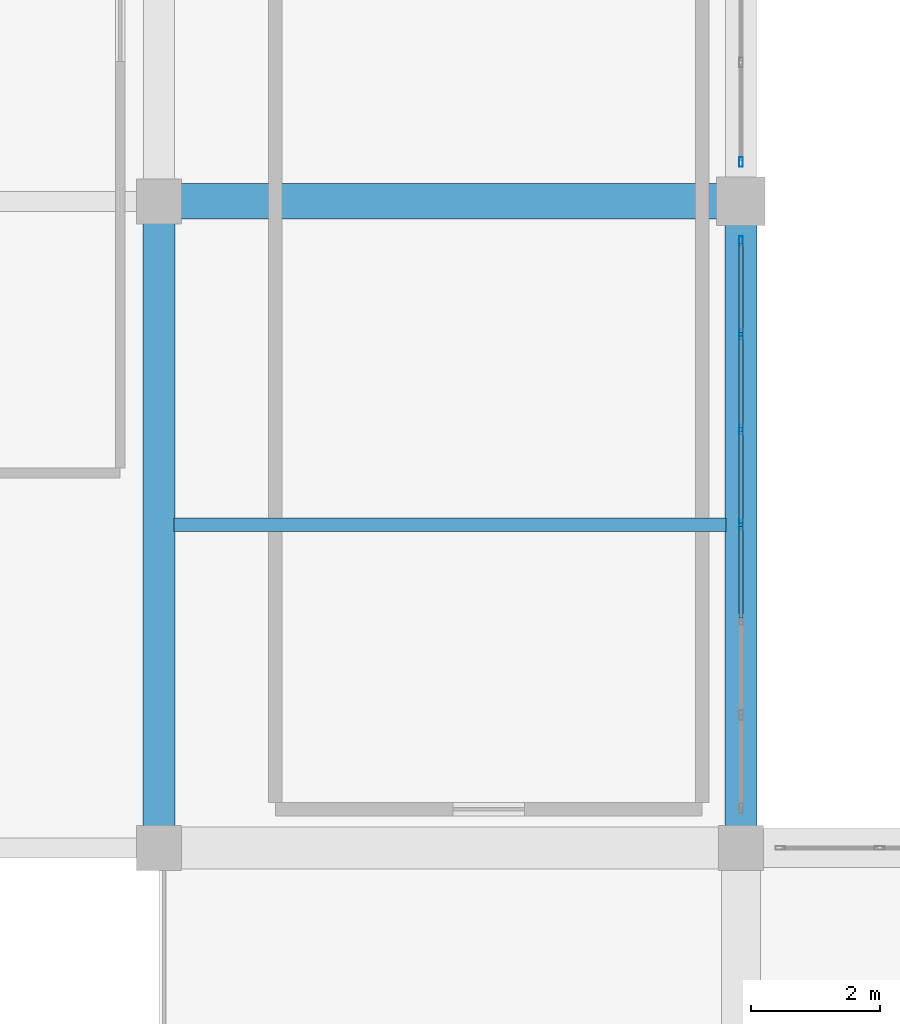
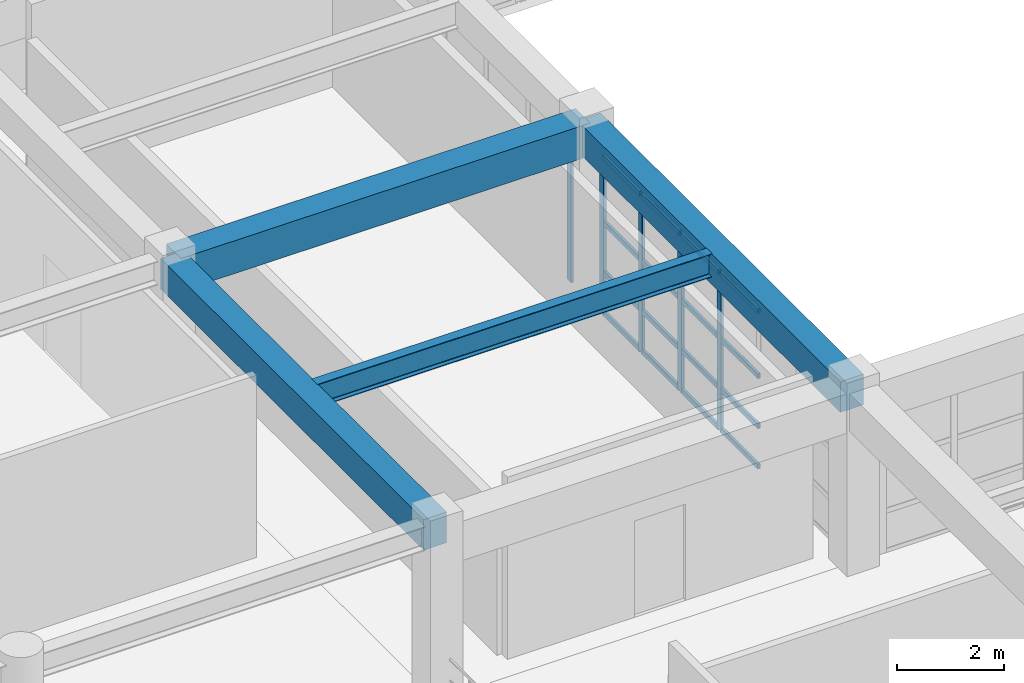
# One storey, part 55 of 133: 21 members, 4 beams, 2 elements without a shape of their own.
"""IFC4 building model written with IfcOpenShell, lengths in metres."""

from ifc_helpers import new_model, si_unit, direction, frame, origin, origin_2d, place, context, subcontext, project, spatial, rectangle, hollow_rectangle, i_section, extrude, material, material_profile, profile_set, type_object, element, aggregate, save


model = new_model("IFC4")

# Units and contexts
model_context = context("Model", 3, precision=1e-05, world=origin(), true_north=direction((0.0, 1.0)))
body_context = subcontext(model_context, "Body", "Model", "MODEL_VIEW")
ifc_project = project(units=[si_unit("LENGTHUNIT", "METRE"), si_unit("AREAUNIT", "SQUARE_METRE"), si_unit("VOLUMEUNIT", "CUBIC_METRE"), si_unit("PLANEANGLEUNIT", "RADIAN"), si_unit("MASSUNIT", "GRAM", prefix="KILO")], contexts=[model_context])

# Site, building, storey
site_placement = place(None, origin())
site = spatial("IfcSite", under=ifc_project, at=site_placement, CompositionType="ELEMENT")
building_placement = place(site_placement, origin())
building = spatial("IfcBuilding", under=site, at=building_placement, Name="Miravela Opera House", CompositionType="ELEMENT")
storey_placement = place(building_placement, frame((0.0, 0.0, 5.10009765625)))
storey = spatial("IfcBuildingStorey", under=building, at=storey_placement, Name="L01", CompositionType="ELEMENT", Elevation=5.10009765625)

# Curtain wall, members
ifc_material_1 = material(Name="Anodised architectural bronze aluminium 6063-T6", Category="aluminium")
curtain_wall_type = type_object("IfcCurtainWallType", Name="ARC-CW-05", PredefinedType="NOTDEFINED", material=ifc_material_1)
curtain_wall_1_placement = place(storey_placement, origin())
curtain_wall_1 = element("IfcCurtainWall", 1, at=curtain_wall_1_placement, inside=storey, type_object=curtain_wall_type, Name="Courtyard Arcade Curtain Wall CW-L01-085", PredefinedType="NOTDEFINED")
ifc_material_profile_1 = material_profile(ifc_material_1, hollow_rectangle(XDim=0.06005859375, YDim=0.14990234375, WallThickness=0.00390625, InnerFilletRadius=0.001953125, OuterFilletRadius=0.00390625, at=origin_2d()), Name="CWM-60X150")
ifc_profile_set_1 = profile_set([ifc_material_profile_1])
member_type_1 = type_object("IfcMemberType", Name="ARC-CWM-150", PredefinedType="MULLION", material=ifc_profile_set_1)
member_1_placement = place(storey_placement, frame((27.0, 89.0, 0.0), z_axis=(0.0, 0.0, 1.0), x_axis=(-1.0, 0.0, 0.0)))
member_1 = element("IfcMember", 2, at=member_1_placement, type_object=member_type_1, Name="CW-05 mullion 4", PredefinedType="MULLION", context=body_context, shape_type="SweptSolid", body=[
    extrude(hollow_rectangle(XDim=0.06005859375, YDim=0.14990234375, WallThickness=0.00390625, InnerFilletRadius=0.001953125, OuterFilletRadius=0.00390625, at=origin_2d()), origin(), (0.0, 0.0, 1.0), 3.60986328125),
])
member_2_placement = place(storey_placement, frame((27.0, 90.473388671875, 0.0), z_axis=(0.0, 0.0, 1.0), x_axis=(-1.0, 0.0, 0.0)))
member_2 = element("IfcMember", 3, at=member_2_placement, type_object=member_type_1, Name="CW-05 mullion 5", PredefinedType="MULLION", context=body_context, shape_type="SweptSolid", body=[
    extrude(hollow_rectangle(XDim=0.06005859375, YDim=0.14990234375, WallThickness=0.00390625, InnerFilletRadius=0.001953125, OuterFilletRadius=0.00390625, at=origin_2d()), origin(), (0.0, 0.0, 1.0), 3.60986328125),
])
member_3_placement = place(storey_placement, frame((27.0, 91.94677734375, 0.0), z_axis=(0.0, 0.0, 1.0), x_axis=(-1.0, 0.0, 0.0)))
member_3 = element("IfcMember", 4, at=member_3_placement, type_object=member_type_1, Name="CW-05 mullion 6", PredefinedType="MULLION", context=body_context, shape_type="SweptSolid", body=[
    extrude(hollow_rectangle(XDim=0.06005859375, YDim=0.14990234375, WallThickness=0.00390625, InnerFilletRadius=0.001953125, OuterFilletRadius=0.00390625, at=origin_2d()), origin(), (0.0, 0.0, 1.0), 3.60986328125),
])
member_4_placement = place(storey_placement, frame((27.0, 93.389892578125, 0.0), z_axis=(0.0, 0.0, 1.0), x_axis=(-1.0, 0.0, 0.0)))
member_4 = element("IfcMember", 5, at=member_4_placement, type_object=member_type_1, Name="CW-05 mullion 7", PredefinedType="MULLION", context=body_context, shape_type="SweptSolid", body=[
    extrude(hollow_rectangle(XDim=0.06005859375, YDim=0.14990234375, WallThickness=0.00390625, InnerFilletRadius=0.001953125, OuterFilletRadius=0.00390625, at=origin_2d()), origin(), (0.0, 0.0, 1.0), 3.60986328125),
])

# Curtain wall, member
curtain_wall_2_placement = place(storey_placement, origin())
curtain_wall_2 = element("IfcCurtainWall", 6, at=curtain_wall_2_placement, inside=storey, type_object=curtain_wall_type, Name="Courtyard Arcade Curtain Wall CW-L01-086", PredefinedType="NOTDEFINED")
member_5_placement = place(storey_placement, frame((27.0, 94.610107421875, 0.0), z_axis=(0.0, 0.0, 1.0), x_axis=(-1.0, 0.0, 0.0)))
member_5 = element("IfcMember", 7, at=member_5_placement, type_object=member_type_1, Name="CW-05 mullion 1", PredefinedType="MULLION", context=body_context, shape_type="SweptSolid", body=[
    extrude(hollow_rectangle(XDim=0.06005859375, YDim=0.14990234375, WallThickness=0.00390625, InnerFilletRadius=0.001953125, OuterFilletRadius=0.00390625, at=origin_2d()), origin(), (0.0, 0.0, 1.0), 3.60986328125),
])
aggregate(curtain_wall_2, [member_5])

# Member
ifc_material_profile_2 = material_profile(ifc_material_1, hollow_rectangle(XDim=0.06005859375, YDim=0.114990234375, WallThickness=0.00390625, InnerFilletRadius=0.001953125, OuterFilletRadius=0.00390625, at=origin_2d()), Name="CWT-60X115")
ifc_profile_set_2 = profile_set([ifc_material_profile_2])
member_type_2 = type_object("IfcMemberType", Name="ARC-CWT-115", PredefinedType="USERDEFINED", material=ifc_profile_set_2)
member_6_placement = place(storey_placement, frame((27.0, 87.556640625, 0.02978515625), z_axis=(0.0, 1.0, 0.0), x_axis=(-1.0, 0.0, 0.0)))
member_6 = element("IfcMember", 8, at=member_6_placement, type_object=member_type_2, Name="CW-05 transom 3.1", ObjectType="TRANSOM", PredefinedType="USERDEFINED", context=body_context, shape_type="SweptSolid", body=[
    extrude(hollow_rectangle(XDim=0.06005859375, YDim=0.114990234375, WallThickness=0.00390625, InnerFilletRadius=0.001953125, OuterFilletRadius=0.00390625, at=origin_2d()), origin(), (0.0, 0.0, 1.0), 1.413330078125),
])

member_7_placement = place(storey_placement, frame((27.0, 87.556640625, 0.949951171875), z_axis=(0.0, 1.0, 0.0), x_axis=(-1.0, 0.0, 0.0)))
member_7 = element("IfcMember", 9, at=member_7_placement, type_object=member_type_2, Name="CW-05 transom 3.2", ObjectType="TRANSOM", PredefinedType="USERDEFINED", context=body_context, shape_type="SweptSolid", body=[
    extrude(hollow_rectangle(XDim=0.06005859375, YDim=0.114990234375, WallThickness=0.00390625, InnerFilletRadius=0.001953125, OuterFilletRadius=0.00390625, at=origin_2d()), origin(), (0.0, 0.0, 1.0), 1.413330078125),
])

member_8_placement = place(storey_placement, frame((27.0, 87.556640625, 2.09375), z_axis=(0.0, 1.0, 0.0), x_axis=(-1.0, 0.0, 0.0)))
member_8 = element("IfcMember", 10, at=member_8_placement, type_object=member_type_2, Name="CW-05 transom 3.3", ObjectType="TRANSOM", PredefinedType="USERDEFINED", context=body_context, shape_type="SweptSolid", body=[
    extrude(hollow_rectangle(XDim=0.06005859375, YDim=0.114990234375, WallThickness=0.00390625, InnerFilletRadius=0.001953125, OuterFilletRadius=0.00390625, at=origin_2d()), origin(), (0.0, 0.0, 1.0), 1.413330078125),
])

member_9_placement = place(storey_placement, frame((27.0, 87.556640625, 3.579833984375), z_axis=(0.0, 1.0, 0.0), x_axis=(-1.0, 0.0, 0.0)))
member_9 = element("IfcMember", 11, at=member_9_placement, type_object=member_type_2, Name="CW-05 transom 3.4", ObjectType="TRANSOM", PredefinedType="USERDEFINED", context=body_context, shape_type="SweptSolid", body=[
    extrude(hollow_rectangle(XDim=0.06005859375, YDim=0.114990234375, WallThickness=0.00390625, InnerFilletRadius=0.001953125, OuterFilletRadius=0.00390625, at=origin_2d()), origin(), (0.0, 0.0, 1.0), 1.413330078125),
])

member_10_placement = place(storey_placement, frame((27.0, 89.030029296875, 0.02978515625), z_axis=(0.0, 1.0, 0.0), x_axis=(-1.0, 0.0, 0.0)))
member_10 = element("IfcMember", 12, at=member_10_placement, type_object=member_type_2, Name="CW-05 transom 4.1", ObjectType="TRANSOM", PredefinedType="USERDEFINED", context=body_context, shape_type="SweptSolid", body=[
    extrude(hollow_rectangle(XDim=0.06005859375, YDim=0.114990234375, WallThickness=0.00390625, InnerFilletRadius=0.001953125, OuterFilletRadius=0.00390625, at=origin_2d()), origin(), (0.0, 0.0, 1.0), 1.413330078125),
])

member_11_placement = place(storey_placement, frame((27.0, 89.030029296875, 0.949951171875), z_axis=(0.0, 1.0, 0.0), x_axis=(-1.0, 0.0, 0.0)))
member_11 = element("IfcMember", 13, at=member_11_placement, type_object=member_type_2, Name="CW-05 transom 4.2", ObjectType="TRANSOM", PredefinedType="USERDEFINED", context=body_context, shape_type="SweptSolid", body=[
    extrude(hollow_rectangle(XDim=0.06005859375, YDim=0.114990234375, WallThickness=0.00390625, InnerFilletRadius=0.001953125, OuterFilletRadius=0.00390625, at=origin_2d()), origin(), (0.0, 0.0, 1.0), 1.413330078125),
])

member_12_placement = place(storey_placement, frame((27.0, 89.030029296875, 2.09375), z_axis=(0.0, 1.0, 0.0), x_axis=(-1.0, 0.0, 0.0)))
member_12 = element("IfcMember", 14, at=member_12_placement, type_object=member_type_2, Name="CW-05 transom 4.3", ObjectType="TRANSOM", PredefinedType="USERDEFINED", context=body_context, shape_type="SweptSolid", body=[
    extrude(hollow_rectangle(XDim=0.06005859375, YDim=0.114990234375, WallThickness=0.00390625, InnerFilletRadius=0.001953125, OuterFilletRadius=0.00390625, at=origin_2d()), origin(), (0.0, 0.0, 1.0), 1.413330078125),
])

member_13_placement = place(storey_placement, frame((27.0, 89.030029296875, 3.579833984375), z_axis=(0.0, 1.0, 0.0), x_axis=(-1.0, 0.0, 0.0)))
member_13 = element("IfcMember", 15, at=member_13_placement, type_object=member_type_2, Name="CW-05 transom 4.4", ObjectType="TRANSOM", PredefinedType="USERDEFINED", context=body_context, shape_type="SweptSolid", body=[
    extrude(hollow_rectangle(XDim=0.06005859375, YDim=0.114990234375, WallThickness=0.00390625, InnerFilletRadius=0.001953125, OuterFilletRadius=0.00390625, at=origin_2d()), origin(), (0.0, 0.0, 1.0), 1.413330078125),
])

member_14_placement = place(storey_placement, frame((27.0, 90.50341796875, 0.02978515625), z_axis=(0.0, 1.0, 0.0), x_axis=(-1.0, 0.0, 0.0)))
member_14 = element("IfcMember", 16, at=member_14_placement, type_object=member_type_2, Name="CW-05 transom 5.1", ObjectType="TRANSOM", PredefinedType="USERDEFINED", context=body_context, shape_type="SweptSolid", body=[
    extrude(hollow_rectangle(XDim=0.06005859375, YDim=0.114990234375, WallThickness=0.00390625, InnerFilletRadius=0.001953125, OuterFilletRadius=0.00390625, at=origin_2d()), origin(), (0.0, 0.0, 1.0), 1.413330078125),
])

member_15_placement = place(storey_placement, frame((27.0, 90.50341796875, 0.949951171875), z_axis=(0.0, 1.0, 0.0), x_axis=(-1.0, 0.0, 0.0)))
member_15 = element("IfcMember", 17, at=member_15_placement, type_object=member_type_2, Name="CW-05 transom 5.2", ObjectType="TRANSOM", PredefinedType="USERDEFINED", context=body_context, shape_type="SweptSolid", body=[
    extrude(hollow_rectangle(XDim=0.06005859375, YDim=0.114990234375, WallThickness=0.00390625, InnerFilletRadius=0.001953125, OuterFilletRadius=0.00390625, at=origin_2d()), origin(), (0.0, 0.0, 1.0), 1.413330078125),
])

member_16_placement = place(storey_placement, frame((27.0, 90.50341796875, 2.09375), z_axis=(0.0, 1.0, 0.0), x_axis=(-1.0, 0.0, 0.0)))
member_16 = element("IfcMember", 18, at=member_16_placement, type_object=member_type_2, Name="CW-05 transom 5.3", ObjectType="TRANSOM", PredefinedType="USERDEFINED", context=body_context, shape_type="SweptSolid", body=[
    extrude(hollow_rectangle(XDim=0.06005859375, YDim=0.114990234375, WallThickness=0.00390625, InnerFilletRadius=0.001953125, OuterFilletRadius=0.00390625, at=origin_2d()), origin(), (0.0, 0.0, 1.0), 1.413330078125),
])

member_17_placement = place(storey_placement, frame((27.0, 90.50341796875, 3.579833984375), z_axis=(0.0, 1.0, 0.0), x_axis=(-1.0, 0.0, 0.0)))
member_17 = element("IfcMember", 19, at=member_17_placement, type_object=member_type_2, Name="CW-05 transom 5.4", ObjectType="TRANSOM", PredefinedType="USERDEFINED", context=body_context, shape_type="SweptSolid", body=[
    extrude(hollow_rectangle(XDim=0.06005859375, YDim=0.114990234375, WallThickness=0.00390625, InnerFilletRadius=0.001953125, OuterFilletRadius=0.00390625, at=origin_2d()), origin(), (0.0, 0.0, 1.0), 1.413330078125),
])

member_18_placement = place(storey_placement, frame((27.0, 91.9765625, 0.02978515625), z_axis=(0.0, 1.0, 0.0), x_axis=(-1.0, 0.0, 0.0)))
member_18 = element("IfcMember", 20, at=member_18_placement, type_object=member_type_2, Name="CW-05 transom 6.1", ObjectType="TRANSOM", PredefinedType="USERDEFINED", context=body_context, shape_type="SweptSolid", body=[
    extrude(hollow_rectangle(XDim=0.06005859375, YDim=0.114990234375, WallThickness=0.00390625, InnerFilletRadius=0.001953125, OuterFilletRadius=0.00390625, at=origin_2d()), origin(), (0.0, 0.0, 1.0), 1.383544921875),
])

member_19_placement = place(storey_placement, frame((27.0, 91.9765625, 0.949951171875), z_axis=(0.0, 1.0, 0.0), x_axis=(-1.0, 0.0, 0.0)))
member_19 = element("IfcMember", 21, at=member_19_placement, type_object=member_type_2, Name="CW-05 transom 6.2", ObjectType="TRANSOM", PredefinedType="USERDEFINED", context=body_context, shape_type="SweptSolid", body=[
    extrude(hollow_rectangle(XDim=0.06005859375, YDim=0.114990234375, WallThickness=0.00390625, InnerFilletRadius=0.001953125, OuterFilletRadius=0.00390625, at=origin_2d()), origin(), (0.0, 0.0, 1.0), 1.383544921875),
])

member_20_placement = place(storey_placement, frame((27.0, 91.9765625, 2.09375), z_axis=(0.0, 1.0, 0.0), x_axis=(-1.0, 0.0, 0.0)))
member_20 = element("IfcMember", 22, at=member_20_placement, type_object=member_type_2, Name="CW-05 transom 6.3", ObjectType="TRANSOM", PredefinedType="USERDEFINED", context=body_context, shape_type="SweptSolid", body=[
    extrude(hollow_rectangle(XDim=0.06005859375, YDim=0.114990234375, WallThickness=0.00390625, InnerFilletRadius=0.001953125, OuterFilletRadius=0.00390625, at=origin_2d()), origin(), (0.0, 0.0, 1.0), 1.383544921875),
])

member_21_placement = place(storey_placement, frame((27.0, 91.9765625, 3.579833984375), z_axis=(0.0, 1.0, 0.0), x_axis=(-1.0, 0.0, 0.0)))
member_21 = element("IfcMember", 23, at=member_21_placement, type_object=member_type_2, Name="CW-05 transom 6.4", ObjectType="TRANSOM", PredefinedType="USERDEFINED", context=body_context, shape_type="SweptSolid", body=[
    extrude(hollow_rectangle(XDim=0.06005859375, YDim=0.114990234375, WallThickness=0.00390625, InnerFilletRadius=0.001953125, OuterFilletRadius=0.00390625, at=origin_2d()), origin(), (0.0, 0.0, 1.0), 1.383544921875),
])

aggregate(curtain_wall_1, [member_1, member_2, member_3, member_4, member_6, member_7, member_8, member_9, member_10, member_11, member_12, member_13, member_14, member_15, member_16, member_17, member_18, member_19, member_20, member_21])

# Beams
ifc_material_2 = material(Name="Concrete C35/45", Category="concrete")
ifc_material_profile_3 = material_profile(ifc_material_2, rectangle(XDim=0.5, YDim=0.699951171875, at=origin_2d()), Name="RC-BM-500X700")
ifc_profile_set_3 = profile_set([ifc_material_profile_3])
beam_type_1 = type_object("IfcBeamType", Name="STR-BM-RC500X700", PredefinedType="BEAM", material=ifc_profile_set_3)
for number, where, z_axis, x_axis, name in (
    (24, (18.0, 84.080078125, 3.809814453125), (0.0, 1.0, 0.0), (-1.0, 0.0, 0.0), "Floor Girder L01 3/J-K"),
    (25, (27.0, 84.080078125, 3.809814453125), (0.0, 1.0, 0.0), (-1.0, 0.0, 0.0), "Floor Girder L01 4/J-K"),
):
    element("IfcBeam", number, at=place(storey_placement, frame(where, z_axis=z_axis, x_axis=x_axis)), inside=storey, type_object=beam_type_1, Name=name, PredefinedType="BEAM", context=body_context, shape_type="SweptSolid", body=[
        extrude(rectangle(XDim=0.5, YDim=0.699951171875, at=origin_2d()), origin(), (0.0, 0.0, 1.0), 9.83984375),
    ])
ifc_material_profile_4 = material_profile(ifc_material_2, rectangle(XDim=0.550048828125, YDim=0.75, at=origin_2d()), Name="RC-BM-550X750")
ifc_profile_set_4 = profile_set([ifc_material_profile_4])
beam_type_2 = type_object("IfcBeamType", Name="STR-BM-RC550X750", PredefinedType="BEAM", material=ifc_profile_set_4)
beam_1_placement = place(storey_placement, frame((18.080078125, 94.0, 3.784912109375), z_axis=(1.0, 0.0, 0.0), x_axis=(0.0, 1.0, 0.0)))
element("IfcBeam", 26, at=beam_1_placement, inside=storey, type_object=beam_type_2, Name="Floor Girder L01 3-4/K", PredefinedType="BEAM", context=body_context, shape_type="SweptSolid", body=[
    extrude(rectangle(XDim=0.550048828125, YDim=0.75, at=origin_2d()), origin(), (0.0, 0.0, 1.0), 8.83984375),
])
ifc_material_3 = material(Name="Structural steel ASTM A992 Gr. 50", Category="steel")
ifc_material_profile_5 = material_profile(ifc_material_3, i_section(OverallWidth=0.208984375, OverallDepth=0.532958984375, WebThickness=0.01025390625, FlangeThickness=0.015625, FilletRadius=0.014892578125, at=origin_2d()), Name="W530X92")
ifc_profile_set_5 = profile_set([ifc_material_profile_5])
beam_type_3 = type_object("IfcBeamType", Name="STR-BM-W530X92", PredefinedType="BEAM", material=ifc_profile_set_5)
beam_2_placement = place(storey_placement, frame((18.235107421875, 89.0, 3.893310546875), z_axis=(1.0, 0.0, 0.0), x_axis=(0.0, 1.0, 0.0)))
element("IfcBeam", 27, at=beam_2_placement, inside=storey, type_object=beam_type_3, Name="Secondary Floor Joist L01 3-4/J-K", PredefinedType="BEAM", context=body_context, shape_type="SweptSolid", body=[
    extrude(i_section(OverallWidth=0.208984375, OverallDepth=0.532958984375, WebThickness=0.01025390625, FlangeThickness=0.015625, FilletRadius=0.014892578125, at=origin_2d()), origin(), (0.0, 0.0, 1.0), 8.52978515625),
])

save(model, "model.ifc")
